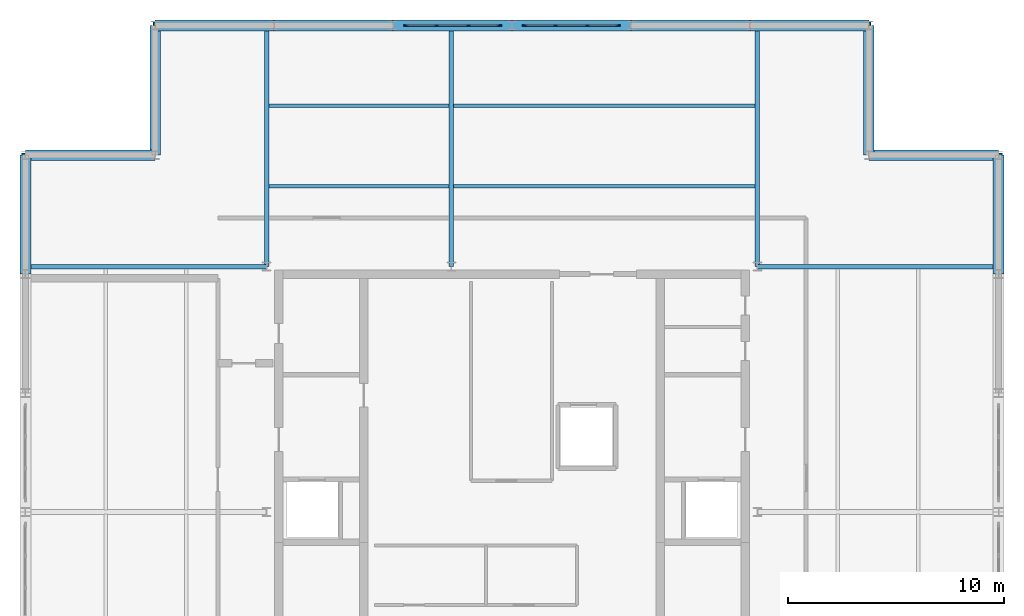
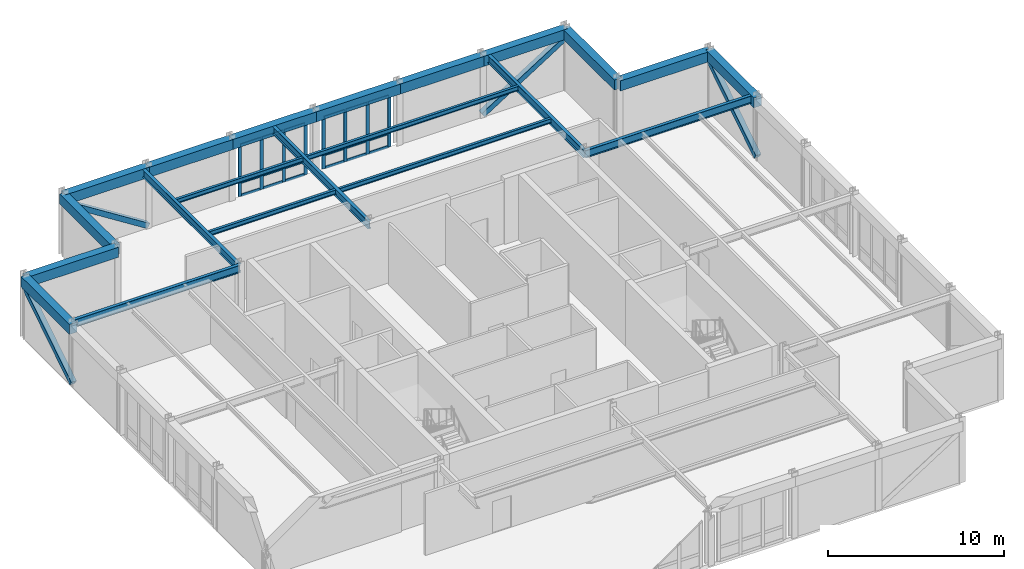
# One storey, part 5 of 9: 30 members, 21 beams, 2 elements without a shape of their own.
"""IFC4 building model written with IfcOpenShell, lengths in metres."""

from ifc_helpers import new_model, si_unit, direction, frame, origin, origin_2d, place, context, subcontext, project, spatial, rectangle, hollow_rectangle, i_section, extrude, material, layer, layer_set, material_profile, profile_set, type_object, element, aggregate, save


model = new_model("IFC4")

# Units and contexts
model_context = context("Model", 3, precision=1e-05, world=origin(), true_north=direction((0.0, 1.0)))
body_context = subcontext(model_context, "Body", "Model", "MODEL_VIEW")
ifc_project = project(units=[si_unit("LENGTHUNIT", "METRE"), si_unit("AREAUNIT", "SQUARE_METRE"), si_unit("VOLUMEUNIT", "CUBIC_METRE"), si_unit("PLANEANGLEUNIT", "RADIAN"), si_unit("MASSUNIT", "GRAM", prefix="KILO")], contexts=[model_context])

# Site, building, storey
site_placement = place(None, origin())
site = spatial("IfcSite", under=ifc_project, at=site_placement, CompositionType="ELEMENT")
building_placement = place(site_placement, origin())
building = spatial("IfcBuilding", under=site, at=building_placement, Name="Nhamokura Convention Tower", CompositionType="ELEMENT")
storey_placement = place(building_placement, frame((0.0, 0.0, 317.800048828125)))
storey = spatial("IfcBuildingStorey", under=building, at=storey_placement, Name="L78", CompositionType="ELEMENT", Elevation=317.800048828125)

# Curtain wall, members
ifc_material_1 = material(Name="Anodised bronze aluminium AA6063-T6", Category="aluminium")
ifc_layer = layer(ifc_material_1, 0.2099609375)
ifc_layer_set = layer_set([ifc_layer], Name="CWSystem_SlantedCrown")
curtain_wall_type = type_object("IfcCurtainWallType", Name="CWSystem_SlantedCrown", PredefinedType="NOTDEFINED", material=ifc_layer_set)
curtain_wall_1_placement = place(storey_placement, origin())
curtain_wall_1 = element("IfcCurtainWall", 1, at=curtain_wall_1_placement, inside=storey, type_object=curtain_wall_type, Name="L78 Curtain Wall ENV-L78-CRCW-N2", PredefinedType="NOTDEFINED")
ifc_material_2 = material(Name="Anodised bronze aluminium AA6063-T6", Category="aluminium")
ifc_material_profile_1 = material_profile(ifc_material_2, rectangle(XDim=0.080078125, YDim=0.2099609375, at=origin_2d()))
ifc_profile_set_1 = profile_set([ifc_material_profile_1], Name="Anodised bronze aluminium AA6063-T6")
member_type_1 = type_object("IfcMemberType", Name="CWMullion_4", PredefinedType="MULLION", material=ifc_profile_set_1)
member_1_placement = place(storey_placement, frame((27.090087890625, 54.5, 0.0), z_axis=(0.0, 0.0, 1.0), x_axis=(0.0, 1.0, 0.0)))
member_1 = element("IfcMember", 2, at=member_1_placement, type_object=member_type_1, Name="CW-07 mullion 1", PredefinedType="MULLION", context=body_context, shape_type="SweptSolid", body=[
    extrude(rectangle(XDim=0.080078125, YDim=0.2099609375, at=origin_2d()), origin(), (0.0, 0.0, 1.0), 3.570068359375),
])
member_2_placement = place(storey_placement, frame((28.5166015625, 54.5, 0.0), z_axis=(0.0, 0.0, 1.0), x_axis=(0.0, 1.0, 0.0)))
member_2 = element("IfcMember", 3, at=member_2_placement, type_object=member_type_1, Name="CW-07 mullion 2", PredefinedType="MULLION", context=body_context, shape_type="SweptSolid", body=[
    extrude(rectangle(XDim=0.080078125, YDim=0.2099609375, at=origin_2d()), origin(), (0.0, 0.0, 1.0), 3.570068359375),
])
member_3_placement = place(storey_placement, frame((29.9833984375, 54.5, 0.0), z_axis=(0.0, 0.0, 1.0), x_axis=(0.0, 1.0, 0.0)))
member_3 = element("IfcMember", 4, at=member_3_placement, type_object=member_type_1, Name="CW-07 mullion 3", PredefinedType="MULLION", context=body_context, shape_type="SweptSolid", body=[
    extrude(rectangle(XDim=0.080078125, YDim=0.2099609375, at=origin_2d()), origin(), (0.0, 0.0, 1.0), 3.570068359375),
])
member_4_placement = place(storey_placement, frame((31.409912109375, 54.5, 0.0), z_axis=(0.0, 0.0, 1.0), x_axis=(0.0, 1.0, 0.0)))
member_4 = element("IfcMember", 5, at=member_4_placement, type_object=member_type_1, Name="CW-07 mullion 4", PredefinedType="MULLION", context=body_context, shape_type="SweptSolid", body=[
    extrude(rectangle(XDim=0.080078125, YDim=0.2099609375, at=origin_2d()), origin(), (0.0, 0.0, 1.0), 3.570068359375),
])

curtain_wall_2_placement = place(storey_placement, origin())
curtain_wall_2 = element("IfcCurtainWall", 6, at=curtain_wall_2_placement, inside=storey, type_object=curtain_wall_type, Name="L78 Curtain Wall ENV-L78-CRCW-N3", PredefinedType="NOTDEFINED")
member_5_placement = place(storey_placement, frame((32.590087890625, 54.5, 0.0), z_axis=(0.0, 0.0, 1.0), x_axis=(0.0, 1.0, 0.0)))
member_5 = element("IfcMember", 7, at=member_5_placement, type_object=member_type_1, Name="CW-07 mullion 1", PredefinedType="MULLION", context=body_context, shape_type="SweptSolid", body=[
    extrude(rectangle(XDim=0.080078125, YDim=0.2099609375, at=origin_2d()), origin(), (0.0, 0.0, 1.0), 3.570068359375),
])
member_6_placement = place(storey_placement, frame((34.0166015625, 54.5, 0.0), z_axis=(0.0, 0.0, 1.0), x_axis=(0.0, 1.0, 0.0)))
member_6 = element("IfcMember", 8, at=member_6_placement, type_object=member_type_1, Name="CW-07 mullion 2", PredefinedType="MULLION", context=body_context, shape_type="SweptSolid", body=[
    extrude(rectangle(XDim=0.080078125, YDim=0.2099609375, at=origin_2d()), origin(), (0.0, 0.0, 1.0), 3.570068359375),
])
member_7_placement = place(storey_placement, frame((35.4833984375, 54.5, 0.0), z_axis=(0.0, 0.0, 1.0), x_axis=(0.0, 1.0, 0.0)))
member_7 = element("IfcMember", 9, at=member_7_placement, type_object=member_type_1, Name="CW-07 mullion 3", PredefinedType="MULLION", context=body_context, shape_type="SweptSolid", body=[
    extrude(rectangle(XDim=0.080078125, YDim=0.2099609375, at=origin_2d()), origin(), (0.0, 0.0, 1.0), 3.570068359375),
])
member_8_placement = place(storey_placement, frame((36.909912109375, 54.5, 0.0), z_axis=(0.0, 0.0, 1.0), x_axis=(0.0, 1.0, 0.0)))
member_8 = element("IfcMember", 10, at=member_8_placement, type_object=member_type_1, Name="CW-07 mullion 4", PredefinedType="MULLION", context=body_context, shape_type="SweptSolid", body=[
    extrude(rectangle(XDim=0.080078125, YDim=0.2099609375, at=origin_2d()), origin(), (0.0, 0.0, 1.0), 3.570068359375),
])

# Member
ifc_material_3 = material(Name="Anodised bronze aluminium AA6063-T6", Category="aluminium")
ifc_material_profile_2 = material_profile(ifc_material_3, rectangle(XDim=0.080078125, YDim=0.18505859375, at=origin_2d()))
ifc_profile_set_2 = profile_set([ifc_material_profile_2], Name="Anodised bronze aluminium AA6063-T6")
member_type_2 = type_object("IfcMemberType", Name="CWTransom_4", PredefinedType="USERDEFINED", material=ifc_profile_set_2)
member_9_placement = place(storey_placement, frame((27.1298828125, 54.5, 0.0400390625), z_axis=(1.0, 0.0, 0.0), x_axis=(0.0, 1.0, 0.0)))
member_9 = element("IfcMember", 11, at=member_9_placement, type_object=member_type_2, Name="CW-07 transom 1.1", ObjectType="TRANSOM", PredefinedType="USERDEFINED", context=body_context, shape_type="SweptSolid", body=[
    extrude(rectangle(XDim=0.080078125, YDim=0.18505859375, at=origin_2d()), origin(), (0.0, 0.0, 1.0), 1.3466796875),
])

member_10_placement = place(storey_placement, frame((27.1298828125, 54.5, 0.949951171875), z_axis=(1.0, 0.0, 0.0), x_axis=(0.0, 1.0, 0.0)))
member_10 = element("IfcMember", 12, at=member_10_placement, type_object=member_type_2, Name="CW-07 transom 1.2", ObjectType="TRANSOM", PredefinedType="USERDEFINED", context=body_context, shape_type="SweptSolid", body=[
    extrude(rectangle(XDim=0.080078125, YDim=0.18505859375, at=origin_2d()), origin(), (0.0, 0.0, 1.0), 1.3466796875),
])

member_11_placement = place(storey_placement, frame((27.1298828125, 54.5, 3.530029296875), z_axis=(1.0, 0.0, 0.0), x_axis=(0.0, 1.0, 0.0)))
member_11 = element("IfcMember", 13, at=member_11_placement, type_object=member_type_2, Name="CW-07 transom 1.3", ObjectType="TRANSOM", PredefinedType="USERDEFINED", context=body_context, shape_type="SweptSolid", body=[
    extrude(rectangle(XDim=0.080078125, YDim=0.18505859375, at=origin_2d()), origin(), (0.0, 0.0, 1.0), 1.3466796875),
])

member_12_placement = place(storey_placement, frame((28.556640625, 54.5, 0.0400390625), z_axis=(1.0, 0.0, 0.0), x_axis=(0.0, 1.0, 0.0)))
member_12 = element("IfcMember", 14, at=member_12_placement, type_object=member_type_2, Name="CW-07 transom 2.1", ObjectType="TRANSOM", PredefinedType="USERDEFINED", context=body_context, shape_type="SweptSolid", body=[
    extrude(rectangle(XDim=0.080078125, YDim=0.18505859375, at=origin_2d()), origin(), (0.0, 0.0, 1.0), 1.38671875),
])

member_13_placement = place(storey_placement, frame((28.556640625, 54.5, 0.949951171875), z_axis=(1.0, 0.0, 0.0), x_axis=(0.0, 1.0, 0.0)))
member_13 = element("IfcMember", 15, at=member_13_placement, type_object=member_type_2, Name="CW-07 transom 2.2", ObjectType="TRANSOM", PredefinedType="USERDEFINED", context=body_context, shape_type="SweptSolid", body=[
    extrude(rectangle(XDim=0.080078125, YDim=0.18505859375, at=origin_2d()), origin(), (0.0, 0.0, 1.0), 1.38671875),
])

member_14_placement = place(storey_placement, frame((28.556640625, 54.5, 3.530029296875), z_axis=(1.0, 0.0, 0.0), x_axis=(0.0, 1.0, 0.0)))
member_14 = element("IfcMember", 16, at=member_14_placement, type_object=member_type_2, Name="CW-07 transom 2.3", ObjectType="TRANSOM", PredefinedType="USERDEFINED", context=body_context, shape_type="SweptSolid", body=[
    extrude(rectangle(XDim=0.080078125, YDim=0.18505859375, at=origin_2d()), origin(), (0.0, 0.0, 1.0), 1.38671875),
])

member_15_placement = place(storey_placement, frame((30.0234375, 54.5, 0.0400390625), z_axis=(1.0, 0.0, 0.0), x_axis=(0.0, 1.0, 0.0)))
member_15 = element("IfcMember", 17, at=member_15_placement, type_object=member_type_2, Name="CW-07 transom 3.1", ObjectType="TRANSOM", PredefinedType="USERDEFINED", context=body_context, shape_type="SweptSolid", body=[
    extrude(rectangle(XDim=0.080078125, YDim=0.18505859375, at=origin_2d()), origin(), (0.0, 0.0, 1.0), 1.3466796875),
])

member_16_placement = place(storey_placement, frame((30.0234375, 54.5, 0.949951171875), z_axis=(1.0, 0.0, 0.0), x_axis=(0.0, 1.0, 0.0)))
member_16 = element("IfcMember", 18, at=member_16_placement, type_object=member_type_2, Name="CW-07 transom 3.2", ObjectType="TRANSOM", PredefinedType="USERDEFINED", context=body_context, shape_type="SweptSolid", body=[
    extrude(rectangle(XDim=0.080078125, YDim=0.18505859375, at=origin_2d()), origin(), (0.0, 0.0, 1.0), 1.3466796875),
])

member_17_placement = place(storey_placement, frame((30.0234375, 54.5, 3.530029296875), z_axis=(1.0, 0.0, 0.0), x_axis=(0.0, 1.0, 0.0)))
member_17 = element("IfcMember", 19, at=member_17_placement, type_object=member_type_2, Name="CW-07 transom 3.3", ObjectType="TRANSOM", PredefinedType="USERDEFINED", context=body_context, shape_type="SweptSolid", body=[
    extrude(rectangle(XDim=0.080078125, YDim=0.18505859375, at=origin_2d()), origin(), (0.0, 0.0, 1.0), 1.3466796875),
])

aggregate(curtain_wall_1, [member_1, member_2, member_3, member_4, member_9, member_10, member_11, member_12, member_13, member_14, member_15, member_16, member_17])

member_18_placement = place(storey_placement, frame((32.6298828125, 54.5, 0.0400390625), z_axis=(1.0, 0.0, 0.0), x_axis=(0.0, 1.0, 0.0)))
member_18 = element("IfcMember", 20, at=member_18_placement, type_object=member_type_2, Name="CW-07 transom 1.1", ObjectType="TRANSOM", PredefinedType="USERDEFINED", context=body_context, shape_type="SweptSolid", body=[
    extrude(rectangle(XDim=0.080078125, YDim=0.18505859375, at=origin_2d()), origin(), (0.0, 0.0, 1.0), 1.3466796875),
])

member_19_placement = place(storey_placement, frame((32.6298828125, 54.5, 0.949951171875), z_axis=(1.0, 0.0, 0.0), x_axis=(0.0, 1.0, 0.0)))
member_19 = element("IfcMember", 21, at=member_19_placement, type_object=member_type_2, Name="CW-07 transom 1.2", ObjectType="TRANSOM", PredefinedType="USERDEFINED", context=body_context, shape_type="SweptSolid", body=[
    extrude(rectangle(XDim=0.080078125, YDim=0.18505859375, at=origin_2d()), origin(), (0.0, 0.0, 1.0), 1.3466796875),
])

member_20_placement = place(storey_placement, frame((32.6298828125, 54.5, 3.530029296875), z_axis=(1.0, 0.0, 0.0), x_axis=(0.0, 1.0, 0.0)))
member_20 = element("IfcMember", 22, at=member_20_placement, type_object=member_type_2, Name="CW-07 transom 1.3", ObjectType="TRANSOM", PredefinedType="USERDEFINED", context=body_context, shape_type="SweptSolid", body=[
    extrude(rectangle(XDim=0.080078125, YDim=0.18505859375, at=origin_2d()), origin(), (0.0, 0.0, 1.0), 1.3466796875),
])

member_21_placement = place(storey_placement, frame((34.056640625, 54.5, 0.0400390625), z_axis=(1.0, 0.0, 0.0), x_axis=(0.0, 1.0, 0.0)))
member_21 = element("IfcMember", 23, at=member_21_placement, type_object=member_type_2, Name="CW-07 transom 2.1", ObjectType="TRANSOM", PredefinedType="USERDEFINED", context=body_context, shape_type="SweptSolid", body=[
    extrude(rectangle(XDim=0.080078125, YDim=0.18505859375, at=origin_2d()), origin(), (0.0, 0.0, 1.0), 1.38671875),
])

member_22_placement = place(storey_placement, frame((34.056640625, 54.5, 0.949951171875), z_axis=(1.0, 0.0, 0.0), x_axis=(0.0, 1.0, 0.0)))
member_22 = element("IfcMember", 24, at=member_22_placement, type_object=member_type_2, Name="CW-07 transom 2.2", ObjectType="TRANSOM", PredefinedType="USERDEFINED", context=body_context, shape_type="SweptSolid", body=[
    extrude(rectangle(XDim=0.080078125, YDim=0.18505859375, at=origin_2d()), origin(), (0.0, 0.0, 1.0), 1.38671875),
])

member_23_placement = place(storey_placement, frame((34.056640625, 54.5, 3.530029296875), z_axis=(1.0, 0.0, 0.0), x_axis=(0.0, 1.0, 0.0)))
member_23 = element("IfcMember", 25, at=member_23_placement, type_object=member_type_2, Name="CW-07 transom 2.3", ObjectType="TRANSOM", PredefinedType="USERDEFINED", context=body_context, shape_type="SweptSolid", body=[
    extrude(rectangle(XDim=0.080078125, YDim=0.18505859375, at=origin_2d()), origin(), (0.0, 0.0, 1.0), 1.38671875),
])

member_24_placement = place(storey_placement, frame((35.5234375, 54.5, 0.0400390625), z_axis=(1.0, 0.0, 0.0), x_axis=(0.0, 1.0, 0.0)))
member_24 = element("IfcMember", 26, at=member_24_placement, type_object=member_type_2, Name="CW-07 transom 3.1", ObjectType="TRANSOM", PredefinedType="USERDEFINED", context=body_context, shape_type="SweptSolid", body=[
    extrude(rectangle(XDim=0.080078125, YDim=0.18505859375, at=origin_2d()), origin(), (0.0, 0.0, 1.0), 1.3466796875),
])

member_25_placement = place(storey_placement, frame((35.5234375, 54.5, 0.949951171875), z_axis=(1.0, 0.0, 0.0), x_axis=(0.0, 1.0, 0.0)))
member_25 = element("IfcMember", 27, at=member_25_placement, type_object=member_type_2, Name="CW-07 transom 3.2", ObjectType="TRANSOM", PredefinedType="USERDEFINED", context=body_context, shape_type="SweptSolid", body=[
    extrude(rectangle(XDim=0.080078125, YDim=0.18505859375, at=origin_2d()), origin(), (0.0, 0.0, 1.0), 1.3466796875),
])

member_26_placement = place(storey_placement, frame((35.5234375, 54.5, 3.530029296875), z_axis=(1.0, 0.0, 0.0), x_axis=(0.0, 1.0, 0.0)))
member_26 = element("IfcMember", 28, at=member_26_placement, type_object=member_type_2, Name="CW-07 transom 3.3", ObjectType="TRANSOM", PredefinedType="USERDEFINED", context=body_context, shape_type="SweptSolid", body=[
    extrude(rectangle(XDim=0.080078125, YDim=0.18505859375, at=origin_2d()), origin(), (0.0, 0.0, 1.0), 1.3466796875),
])

aggregate(curtain_wall_2, [member_5, member_6, member_7, member_8, member_18, member_19, member_20, member_21, member_22, member_23, member_24, member_25, member_26])

# Beams
ifc_material_4 = material(Name="Steel ASTM A992 Gr 50", Category="steel")
ifc_material_profile_3 = material_profile(ifc_material_4, i_section(OverallWidth=0.166015625, OverallDepth=0.31298828125, WebThickness=0.006591796875, FlangeThickness=0.01123046875, at=origin_2d()))
ifc_profile_set_3 = profile_set([ifc_material_profile_3], Name="Steel ASTM A992 Gr 50")
beam_type_1 = type_object("IfcBeamType", Name="FloorJoist_W310X45", PredefinedType="JOIST", material=ifc_profile_set_3)
beam_1_placement = place(storey_placement, frame((20.75244140625, 47.066650390625, 4.133544921875), z_axis=(1.0, 0.0, 0.0), x_axis=(0.0, 1.0, 0.0)))
element("IfcBeam", 29, at=beam_1_placement, inside=storey, type_object=beam_type_1, Name="L78 Composite Floor Joist N1A", PredefinedType="JOIST", context=body_context, shape_type="SweptSolid", body=[
    extrude(i_section(OverallWidth=0.166015625, OverallDepth=0.31298828125, WebThickness=0.006591796875, FlangeThickness=0.01123046875, at=origin_2d()), origin(), (0.0, 0.0, 1.0), 8.344970703125),
])
beam_2_placement = place(storey_placement, frame((29.302490234375, 47.066650390625, 4.133544921875), z_axis=(1.0, 0.0, 0.0), x_axis=(0.0, 1.0, 0.0)))
element("IfcBeam", 30, at=beam_2_placement, inside=storey, type_object=beam_type_1, Name="L78 Composite Floor Joist N1B", PredefinedType="JOIST", context=body_context, shape_type="SweptSolid", body=[
    extrude(i_section(OverallWidth=0.166015625, OverallDepth=0.31298828125, WebThickness=0.006591796875, FlangeThickness=0.01123046875, at=origin_2d()), origin(), (0.0, 0.0, 1.0), 13.945068359375),
])
beam_3_placement = place(storey_placement, frame((20.75244140625, 50.783203125, 4.133544921875), z_axis=(1.0, 0.0, 0.0), x_axis=(0.0, 1.0, 0.0)))
element("IfcBeam", 31, at=beam_3_placement, inside=storey, type_object=beam_type_1, Name="L78 Composite Floor Joist N2A", PredefinedType="JOIST", context=body_context, shape_type="SweptSolid", body=[
    extrude(i_section(OverallWidth=0.166015625, OverallDepth=0.31298828125, WebThickness=0.006591796875, FlangeThickness=0.01123046875, at=origin_2d()), origin(), (0.0, 0.0, 1.0), 8.344970703125),
])
beam_4_placement = place(storey_placement, frame((29.302490234375, 50.783203125, 4.133544921875), z_axis=(1.0, 0.0, 0.0), x_axis=(0.0, 1.0, 0.0)))
element("IfcBeam", 32, at=beam_4_placement, inside=storey, type_object=beam_type_1, Name="L78 Composite Floor Joist N2B", PredefinedType="JOIST", context=body_context, shape_type="SweptSolid", body=[
    extrude(i_section(OverallWidth=0.166015625, OverallDepth=0.31298828125, WebThickness=0.006591796875, FlangeThickness=0.01123046875, at=origin_2d()), origin(), (0.0, 0.0, 1.0), 13.945068359375),
])
ifc_material_5 = material(Name="Steel ASTM A992 Gr 50", Category="steel")
ifc_material_profile_4 = material_profile(ifc_material_5, i_section(OverallWidth=0.208984375, OverallDepth=0.532958984375, WebThickness=0.01025390625, FlangeThickness=0.015625, at=origin_2d()))
ifc_profile_set_4 = profile_set([ifc_material_profile_4], Name="Steel ASTM A992 Gr 50")
beam_type_2 = type_object("IfcBeamType", Name="PrimaryGirder_W530X92", PredefinedType="BEAM", material=ifc_profile_set_4)
for number, where, z_axis, x_axis, name in (
    (33, (20.64990234375, 43.35009765625, 4.0234375), (0.0, 1.0, 0.0), (-1.0, 0.0, 0.0), "L78 Primary Floor Girder PG-N1"),
    (34, (29.199951171875, 43.35009765625, 4.0234375), (0.0, 1.0, 0.0), (-1.0, 0.0, 0.0), "L78 Primary Floor Girder PG-N2"),
    (35, (43.35009765625, 43.35009765625, 4.0234375), (0.0, 1.0, 0.0), (-1.0, 0.0, 0.0), "L78 Primary Floor Girder PG-N3"),
    (36, (9.5, 43.35009765625, 4.0234375), (1.0, 0.0, 0.0), (0.0, 1.0, 0.0), "L78 Primary Floor Girder PG-W3"),
    (37, (43.35009765625, 43.35009765625, 4.0234375), (1.0, 0.0, 0.0), (0.0, 1.0, 0.0), "L78 Primary Floor Girder PG-E3"),
):
    element("IfcBeam", number, at=place(storey_placement, frame(where, z_axis=z_axis, x_axis=x_axis)), inside=storey, type_object=beam_type_2, Name=name, PredefinedType="BEAM", context=body_context, shape_type="SweptSolid", body=[
        extrude(i_section(OverallWidth=0.208984375, OverallDepth=0.532958984375, WebThickness=0.01025390625, FlangeThickness=0.015625, at=origin_2d()), origin(), (0.0, 0.0, 1.0), 11.14990234375),
    ])

# Members
ifc_material_6 = material(Name="Steel ASTM A572 Gr 50", Category="steel")
ifc_material_profile_5 = material_profile(ifc_material_6, hollow_rectangle(XDim=0.35009765625, YDim=0.35009765625, WallThickness=0.01611328125, at=origin_2d()))
ifc_profile_set_5 = profile_set([ifc_material_profile_5], Name="Steel ASTM A572 Gr 50")
member_type_3 = type_object("IfcMemberType", Name="TubeBrace_HSS350", PredefinedType="BRACE", material=ifc_profile_set_5)
for number, where, z_axis, x_axis, name in (
    (38, (21.0, 54.5, 0.14990234375), (-0.84435681045, 0.0, 0.535781276872), (0.0, -1.0, 0.0), "L78 Perimeter Tube Brace NORTH Bay 0"),
    (39, (43.0, 54.5, 0.14990234375), (0.84435681045, 0.0, 0.535781276872), (0.0, 1.0, 0.0), "L78 Perimeter Tube Brace NORTH Bay 5"),
    (40, (9.5, 43.0, 0.14990234375), (0.0, 0.84435681045, 0.535781276872), (-1.0, 0.0, 0.0), "L78 Perimeter Tube Brace WEST Bay 5"),
    (41, (54.5, 43.0, 0.14990234375), (0.0, 0.84435681045, 0.535781276872), (-1.0, 0.0, 0.0), "L78 Perimeter Tube Brace EAST Bay 5"),
):
    element("IfcMember", number, at=place(storey_placement, frame(where, z_axis=z_axis, x_axis=x_axis)), inside=storey, type_object=member_type_3, Name=name, PredefinedType="BRACE", context=body_context, shape_type="SweptSolid", body=[
        extrude(hollow_rectangle(XDim=0.35009765625, YDim=0.35009765625, WallThickness=0.01611328125, at=origin_2d()), origin(), (0.0, 0.0, 1.0), 6.513916015625),
    ])

# Beams
ifc_material_7 = material(Name="Concrete C50/60", Category="concrete")
ifc_material_profile_6 = material_profile(ifc_material_7, rectangle(XDim=0.5, YDim=0.699951171875, at=origin_2d()))
ifc_profile_set_6 = profile_set([ifc_material_profile_6], Name="Concrete C50/60")
beam_type_3 = type_object("IfcBeamType", Name="TubeSpandrel_700", PredefinedType="SPANDREL", material=ifc_profile_set_6)
for number, where, z_axis, x_axis, name in (
    (42, (15.5, 54.5, 3.93994140625), (1.0, 0.0, 0.0), (0.0, 1.0, 0.0), "L78 Perimeter Spandrel NORTH 1"),
    (43, (21.0, 54.5, 3.93994140625), (1.0, 0.0, 0.0), (0.0, 1.0, 0.0), "L78 Perimeter Spandrel NORTH 2"),
    (44, (26.5, 54.5, 3.93994140625), (1.0, 0.0, 0.0), (0.0, 1.0, 0.0), "L78 Perimeter Spandrel NORTH 3"),
    (45, (32.0, 54.5, 3.93994140625), (1.0, 0.0, 0.0), (0.0, 1.0, 0.0), "L78 Perimeter Spandrel NORTH 4"),
    (46, (37.5, 54.5, 3.93994140625), (1.0, 0.0, 0.0), (0.0, 1.0, 0.0), "L78 Perimeter Spandrel NORTH 5"),
    (47, (43.0, 54.5, 3.93994140625), (1.0, 0.0, 0.0), (0.0, 1.0, 0.0), "L78 Perimeter Spandrel NORTH 6"),
    (48, (9.5, 43.0, 3.93994140625), (0.0, 1.0, 0.0), (-1.0, 0.0, 0.0), "L78 Perimeter Spandrel WEST 6"),
    (49, (54.5, 43.0, 3.93994140625), (0.0, 1.0, 0.0), (-1.0, 0.0, 0.0), "L78 Perimeter Spandrel EAST 6"),
):
    element("IfcBeam", number, at=place(storey_placement, frame(where, z_axis=z_axis, x_axis=x_axis)), inside=storey, type_object=beam_type_3, Name=name, PredefinedType="SPANDREL", context=body_context, shape_type="SweptSolid", body=[
        extrude(rectangle(XDim=0.5, YDim=0.699951171875, at=origin_2d()), origin(), (0.0, 0.0, 1.0), 5.5),
    ])
for number, where, z_axis, x_axis, name in (
    (50, (54.5, 48.5, 3.93994140625), (-1.0, 0.0, 0.0), (0.0, -1.0, 0.0), "L78 Notch Spandrel NE1"),
    (51, (48.5, 48.5, 3.93994140625), (0.0, 1.0, 0.0), (-1.0, 0.0, 0.0), "L78 Notch Spandrel NE2"),
    (52, (15.5, 54.5, 3.93994140625), (0.0, -1.0, 0.0), (1.0, 0.0, 0.0), "L78 Notch Spandrel NW1"),
    (53, (15.5, 48.5, 3.93994140625), (-1.0, 0.0, 0.0), (0.0, -1.0, 0.0), "L78 Notch Spandrel NW2"),
):
    element("IfcBeam", number, at=place(storey_placement, frame(where, z_axis=z_axis, x_axis=x_axis)), inside=storey, type_object=beam_type_3, Name=name, PredefinedType="SPANDREL", context=body_context, shape_type="SweptSolid", body=[
        extrude(rectangle(XDim=0.5, YDim=0.699951171875, at=origin_2d()), origin(), (0.0, 0.0, 1.0), 6.0),
    ])

save(model, "model.ifc")
